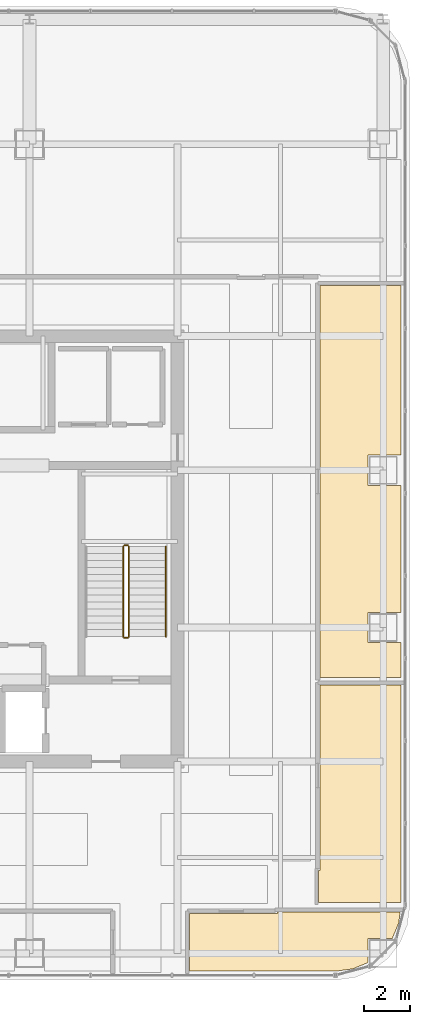
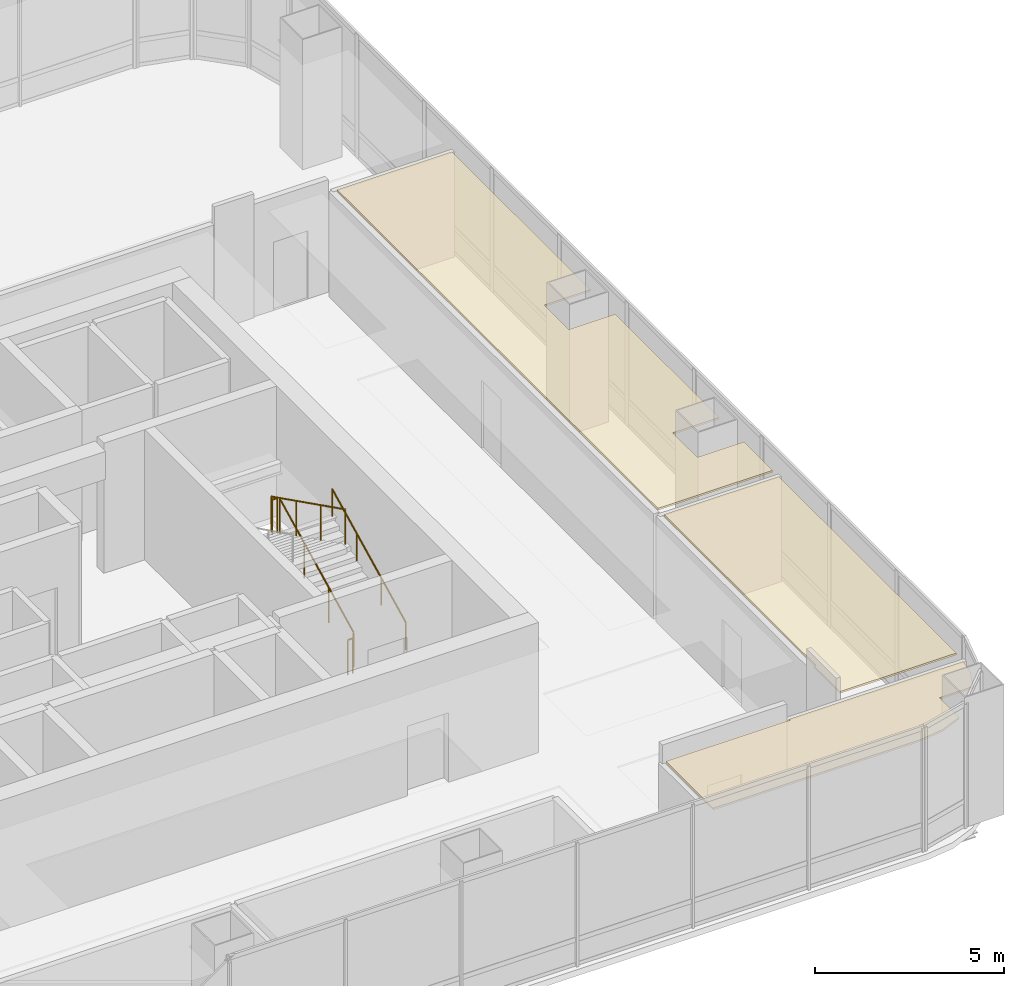
# One storey, part 40 of 41: 5 railings, 3 coverings.
"""IFC4 building model written with IfcOpenShell, lengths in metres."""

from ifc_helpers import new_model, si_unit, direction, frame, origin, origin_2d, place, context, subcontext, project, spatial, polyline, circle, outline, extrude, material, layer, layer_set, type_object, element, save


model = new_model("IFC4")

# Units and contexts
model_context = context("Model", 3, precision=1e-05, world=origin(), true_north=direction((0.0, 1.0)))
body_context = subcontext(model_context, "Body", "Model", "MODEL_VIEW")
ifc_project = project(units=[si_unit("LENGTHUNIT", "METRE"), si_unit("AREAUNIT", "SQUARE_METRE"), si_unit("VOLUMEUNIT", "CUBIC_METRE"), si_unit("PLANEANGLEUNIT", "RADIAN"), si_unit("MASSUNIT", "GRAM", prefix="KILO")], contexts=[model_context])

# Site, building, storey
site_placement = place(None, origin())
site = spatial("IfcSite", under=ifc_project, at=site_placement, CompositionType="ELEMENT")
building_placement = place(site_placement, origin())
building = spatial("IfcBuilding", under=site, at=building_placement, Name="Punatoya Terracotta Tower", CompositionType="ELEMENT")
storey_placement = place(building_placement, frame((0.0, 0.0, 309.0)))
storey = spatial("IfcBuildingStorey", under=building, at=storey_placement, Name="L73", CompositionType="ELEMENT", Elevation=309.0)

# Coverings
ifc_material_1 = material(Name="Acoustic Mineral Fibre Ceiling")
ifc_layer = layer(ifc_material_1, 0.06005859375)
ifc_layer_set = layer_set([ifc_layer], Name="Acoustic Mineral Fibre Ceiling")
covering_type = type_object("IfcCoveringType", Name="COV-CEIL-60", PredefinedType="CEILING", material=ifc_layer_set)
covering_1_placement = place(storey_placement, frame((0.0, 0.0, 3.389892578125)))
element("IfcCovering", 1, at=covering_1_placement, inside=storey, type_object=covering_type, Name="L73 Open-Plan Materials Testing Laboratory Acoustic Ceiling", PredefinedType="CEILING", context=body_context, shape_type="SweptSolid", body=[
    extrude(outline(polyline([(14.52001953125, -15.77001953125), (10.72412109375, -15.77001953125), (10.72412109375, -18.27001953125), (17.025146484375, -18.27001953125), (17.779052734375, -18.1708984375), (18.449951171875, -17.892822265625), (18.449951171875, -16.85009765625), (19.492919921875, -16.85009765625), (19.770751953125, -16.178955078125), (19.83251953125, -15.7099609375), (14.52001953125, -15.7099609375), (14.52001953125, -15.77001953125)])), origin(), (0.0, 0.0, 1.0), 0.06005859375),
])
covering_2_placement = place(storey_placement, frame((0.0, 0.0, 3.389892578125)))
element("IfcCovering", 2, at=covering_2_placement, inside=storey, type_object=covering_type, Name="L73 Environmental Research Laboratory Acoustic Ceiling", PredefinedType="CEILING", context=body_context, shape_type="SweptSolid", body=[
    extrude(outline(polyline([(16.31005859375, -13.919921875), (16.31005859375, -15.2900390625), (19.8701171875, -15.2900390625), (19.8701171875, -5.889892578125), (16.3701171875, -5.889892578125), (16.3701171875, -13.919921875), (16.31005859375, -13.919921875)])), origin(), (0.0, 0.0, 1.0), 0.06005859375),
])
covering_3_placement = place(storey_placement, frame((0.0, 0.0, 3.389892578125)))
element("IfcCovering", 3, at=covering_3_placement, inside=storey, type_object=covering_type, Name="L73 Open-Plan Wellness Rest Room Acoustic Ceiling", PredefinedType="CEILING", context=body_context, shape_type="SweptSolid", body=[
    extrude(outline(polyline([(18.449951171875, -4.050048828125), (18.449951171875, -2.75), (19.8701171875, -2.75), (19.8701171875, 2.75), (18.449951171875, 2.75), (18.449951171875, 4.050048828125), (19.8701171875, 4.050048828125), (19.8701171875, 11.389892578125), (16.3701171875, 11.389892578125), (16.3701171875, -5.570068359375), (19.8701171875, -5.570068359375), (19.8701171875, -4.050048828125), (18.449951171875, -4.050048828125)])), origin(), (0.0, 0.0, 1.0), 0.06005859375),
])

# Railings
ifc_material_2 = material(Name="Steel S355", Category="steel")
railing_type_1 = type_object("IfcRailingType", Name="RLG-GRD-1150", PredefinedType="GUARDRAIL", material=ifc_material_2)
railing_1_placement = place(storey_placement, frame((8.10009765625, -3.800048828125, 0.14990234375)))
element("IfcRailing", 4, at=railing_1_placement, inside=storey, type_object=railing_type_1, Name="L73 ST-2 stair guard 1", PredefinedType="GUARDRAIL", context=body_context, shape_type="SweptSolid", body=[
    extrude(circle(Radius=0.02392578125, at=origin_2d()), frame((0.0, 0.0, 1.1259765625), z_axis=(0.0, 0.894415993023, 0.447235990752), x_axis=(-1.0, 0.0, 0.0)), (0.0, 0.0, 1.0), 4.360595703125),
    extrude(circle(Radius=0.02099609375, at=origin_2d()), origin(), (0.0, 0.0, 1.0), 1.101806640625),
    extrude(circle(Radius=0.02099609375, at=origin_2d()), frame((0.0, 1.300048828125, 0.650146484375)), (0.0, 0.0, 1.0), 1.101806640625),
    extrude(circle(Radius=0.02099609375, at=origin_2d()), frame((0.0, 2.60009765625, 1.300048828125)), (0.0, 0.0, 1.0), 1.101806640625),
    extrude(circle(Radius=0.02099609375, at=origin_2d()), frame((0.0, 3.900146484375, 1.9501953125)), (0.0, 0.0, 1.0), 1.101806640625),
])
railing_2_placement = place(storey_placement, frame((8.050048828125, 0.14990234375, 2.10009765625)))
element("IfcRailing", 5, at=railing_2_placement, inside=storey, type_object=railing_type_1, Name="L73 ST-2 stair guard 2", PredefinedType="GUARDRAIL", context=body_context, shape_type="SweptSolid", body=[
    extrude(circle(Radius=0.02392578125, at=origin_2d()), frame((0.0, 0.0, 1.1259765625), z_axis=(-1.0, 0.0, 0.0), x_axis=(0.0, -1.0, 0.0)), (0.0, 0.0, 1.0), 0.150146484375),
    extrude(circle(Radius=0.02099609375, at=origin_2d()), origin(), (0.0, 0.0, 1.0), 1.101806640625),
    extrude(circle(Radius=0.02099609375, at=origin_2d()), frame((-0.150146484375, 0.0, 0.0)), (0.0, 0.0, 1.0), 1.101806640625),
])
railing_3_placement = place(storey_placement, frame((7.85009765625, 0.10009765625, 2.25)))
element("IfcRailing", 6, at=railing_3_placement, inside=storey, type_object=railing_type_1, Name="L73 ST-2 stair guard 3", PredefinedType="GUARDRAIL", context=body_context, shape_type="SweptSolid", body=[
    extrude(circle(Radius=0.02392578125, at=origin_2d()), frame((0.0, 0.0, 1.1259765625), z_axis=(0.0, -0.894438388696, 0.447191199406), x_axis=(1.0, 0.0, 0.0)), (0.0, 0.0, 1.0), 4.3603515625),
    extrude(circle(Radius=0.02099609375, at=origin_2d()), origin(), (0.0, 0.0, 1.0), 1.101806640625),
    extrude(circle(Radius=0.02099609375, at=origin_2d()), frame((0.0, -1.300048828125, 0.64990234375)), (0.0, 0.0, 1.0), 1.101806640625),
    extrude(circle(Radius=0.02099609375, at=origin_2d()), frame((0.0, -2.60009765625, 1.300048828125)), (0.0, 0.0, 1.0), 1.101806640625),
    extrude(circle(Radius=0.02099609375, at=origin_2d()), frame((0.0, -3.900146484375, 1.949951171875)), (0.0, 0.0, 1.0), 1.101806640625),
])
railing_4_placement = place(storey_placement, frame((8.050048828125, -3.85009765625, 0.0)))
element("IfcRailing", 7, at=railing_4_placement, inside=storey, type_object=railing_type_1, Name="L73 ST-2 stair guard 4", PredefinedType="GUARDRAIL", context=body_context, shape_type="SweptSolid", body=[
    extrude(circle(Radius=0.02392578125, at=origin_2d()), frame((0.0, 0.0, 1.1259765625), z_axis=(-1.0, 0.0, 0.0), x_axis=(0.0, -1.0, 0.0)), (0.0, 0.0, 1.0), 0.150146484375),
    extrude(circle(Radius=0.02099609375, at=origin_2d()), origin(), (0.0, 0.0, 1.0), 1.101806640625),
    extrude(circle(Radius=0.02099609375, at=origin_2d()), frame((-0.150146484375, 0.0, 0.0)), (0.0, 0.0, 1.0), 1.101806640625),
])
railing_type_2 = type_object("IfcRailingType", Name="RLG-HND-900", PredefinedType="HANDRAIL", material=ifc_material_2)
railing_5_placement = place(storey_placement, frame((9.699951171875, -3.800048828125, 0.14990234375)))
element("IfcRailing", 8, at=railing_5_placement, inside=storey, type_object=railing_type_2, Name="L73 ST-2 stair handrail 1", PredefinedType="HANDRAIL", context=body_context, shape_type="SweptSolid", body=[
    extrude(circle(Radius=0.02392578125, at=origin_2d()), frame((0.0, 0.0, 0.8759765625), z_axis=(0.0, 0.894415993023, 0.447235990752), x_axis=(-1.0, 0.0, 0.0)), (0.0, 0.0, 1.0), 4.360595703125),
    extrude(circle(Radius=0.02099609375, at=origin_2d()), origin(), (0.0, 0.0, 1.0), 0.851806640625),
    extrude(circle(Radius=0.02099609375, at=origin_2d()), frame((0.0, 1.300048828125, 0.650146484375)), (0.0, 0.0, 1.0), 0.851806640625),
    extrude(circle(Radius=0.02099609375, at=origin_2d()), frame((0.0, 2.60009765625, 1.300048828125)), (0.0, 0.0, 1.0), 0.851806640625),
    extrude(circle(Radius=0.02099609375, at=origin_2d()), frame((0.0, 3.900146484375, 1.9501953125)), (0.0, 0.0, 1.0), 0.851806640625),
])

save(model, "model.ifc")
